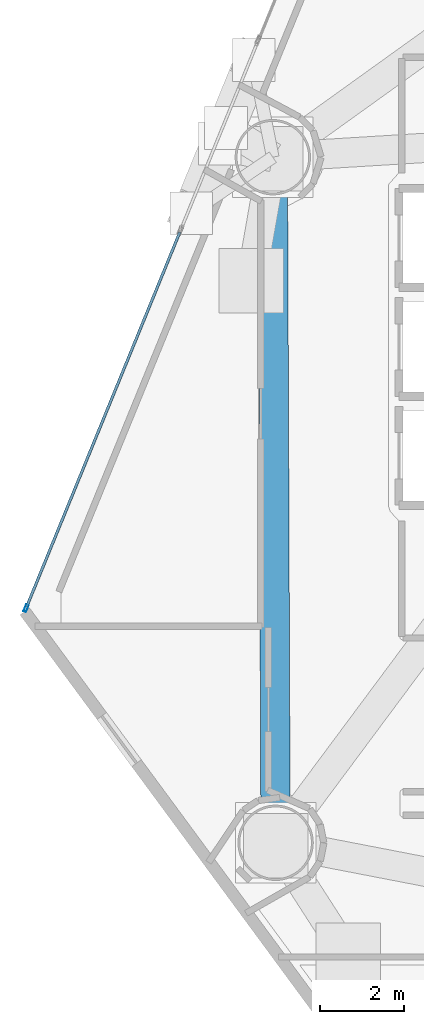
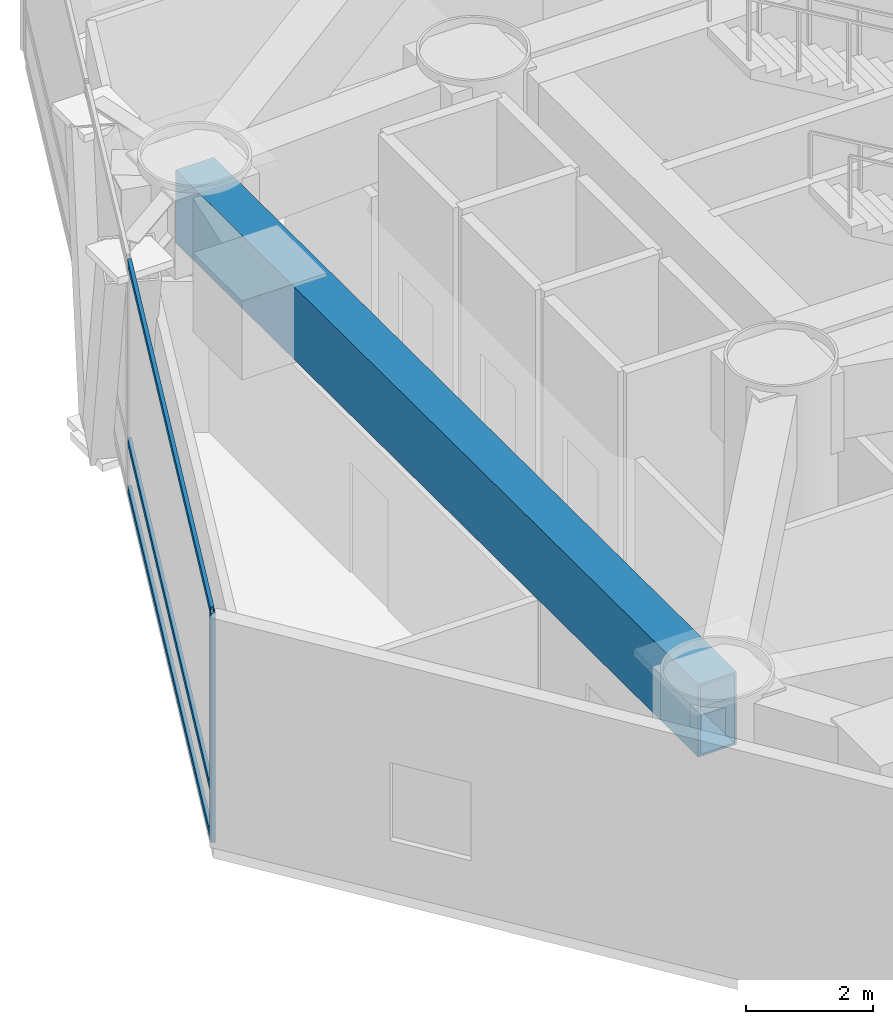
# One storey, part 3 of 22: 4 members, 1 beam, 1 element without a shape of its own.
"""IFC4 building model written with IfcOpenShell, lengths in metres."""

import ifcopenshell
import ifcopenshell.guid

model = None  # the IFC model being written
_history = None  # IfcOwnerHistory: only IFC2X3 demands one
_inside = {}  # id of a spatial element -> (the spatial element, [elements in it])
_under = {}  # id of a project, library or spatial element -> (it, [spatial elements below it])
_declared = {}  # id of a project -> (the project, [libraries it declares])
_typed = {}  # id of a type object -> (the type object, [elements of that type])
_made_of = {}  # id of a material, layer set ... -> (it, [elements and type objects made of it])


def new_model(schema):
    """Start an empty IFC model of exactly this schema.

    Asked for "IFC4X3", IfcOpenShell would pick the latest addendum, in which some entities
    have other attributes; the version numbers below select the first issue.
    IFC2X3 requires an IfcOwnerHistory on every rooted entity: one is made here for all.
    """
    global model, _history
    if schema == "IFC4X3":
        model = ifcopenshell.file(schema_version=(4, 3, 0, 0))
    else:
        model = ifcopenshell.file(schema=schema)
    _inside.clear()
    _under.clear()
    _declared.clear()
    _typed.clear()
    _made_of.clear()
    _history = None
    if model.schema == "IFC2X3":
        org = make("IfcOrganization", Name="unknown")
        user = make(
            "IfcPersonAndOrganization",
            ThePerson=make("IfcPerson", FamilyName="unknown"),
            TheOrganization=org,
        )
        app = make(
            "IfcApplication",
            ApplicationDeveloper=org,
            Version="unknown",
            ApplicationFullName="unknown",
            ApplicationIdentifier="unknown",
        )
        _history = make(
            "IfcOwnerHistory",
            OwningUser=user,
            OwningApplication=app,
            ChangeAction="ADDED",
            CreationDate=0,
        )
    return model


def make(cls, **values):
    """One entity of the class cls with the attributes given. An attribute that is None is left unset."""
    return model.create_entity(
        cls, **{name: value for name, value in values.items() if value is not None}
    )


def rooted(cls, **values):
    """An entity with a GlobalId (a new one), such as an element, a storey or a relation."""
    return make(cls, GlobalId=ifcopenshell.guid.new(), OwnerHistory=_history, **values)


def si_unit(unit_type, name, prefix=None):
    """IfcSIUnit, for example si_unit("LENGTHUNIT", "METRE", prefix="MILLI")."""
    return make("IfcSIUnit", UnitType=unit_type, Prefix=prefix, Name=name)


def assignment(units):
    """IfcUnitAssignment: the units of a project."""
    return None if units is None else make("IfcUnitAssignment", Units=units)


def point(xyz):
    """IfcCartesianPoint."""
    return None if xyz is None else make("IfcCartesianPoint", Coordinates=xyz)


def direction(xyz):
    """IfcDirection."""
    return None if xyz is None else make("IfcDirection", DirectionRatios=xyz)


def frame(location, z_axis=None, x_axis=None):
    """IfcAxis2Placement3D, a coordinate frame: its origin and axes. An axis left out is left unset."""
    return make(
        "IfcAxis2Placement3D",
        Location=point(location),
        Axis=direction(z_axis),
        RefDirection=direction(x_axis),
    )


def frame_2d(location, x_axis=None):
    """IfcAxis2Placement2D, a coordinate frame in the plane: its origin and x axis."""
    return make(
        "IfcAxis2Placement2D", Location=point(location), RefDirection=direction(x_axis)
    )


def origin():
    """The frame at (0, 0, 0) with its axes left unset."""
    return frame((0.0, 0.0, 0.0))


def origin_2d():
    """The frame at (0, 0) in the plane with its x axis left unset."""
    return frame_2d((0.0, 0.0))


def place(relative_to, where):
    """IfcLocalPlacement: puts the frame where relative to a parent placement (None: the world)."""
    return make(
        "IfcLocalPlacement", PlacementRelTo=relative_to, RelativePlacement=where
    )


def context(
    kind, dimensions, precision=None, world=None, true_north=None, identifier=None
):
    """IfcGeometricRepresentationContext, for example the 3D "Model" context."""
    return make(
        "IfcGeometricRepresentationContext",
        ContextIdentifier=identifier,
        ContextType=kind,
        CoordinateSpaceDimension=dimensions,
        Precision=precision,
        WorldCoordinateSystem=world,
        TrueNorth=true_north,
    )


def subcontext(parent, identifier, kind, view, scale=None):
    """IfcGeometricRepresentationSubContext, for example "Body" below "Model"."""
    return make(
        "IfcGeometricRepresentationSubContext",
        ContextIdentifier=identifier,
        ContextType=kind,
        ParentContext=parent,
        TargetScale=scale,
        TargetView=view,
    )


def project(units=None, contexts=None):
    """IfcProject with its units and contexts."""
    return rooted(
        "IfcProject",
        Name="project",
        RepresentationContexts=contexts,
        UnitsInContext=assignment(units),
    )


def spatial(cls, under=None, at=None, **own):
    """A site, building, storey or space (cls), placed at a placement, below another one or the project."""
    s = rooted(cls, ObjectPlacement=at, **own)
    if under is not None:
        _under.setdefault(under.id(), (under, []))[1].append(s)
    return s


def profile(cls, at=None, kind="AREA", **sizes):
    """A parametric profile (cls). Its sizes go by their IFC names, for example OverallWidth=200.0."""
    return make(cls, ProfileType=kind, Position=at, **sizes)


def hollow_rectangle(**sizes):
    """IfcRectangleHollowProfileDef."""
    return profile("IfcRectangleHollowProfileDef", **sizes)


def extrude(swept, where, along, depth):
    """IfcExtrudedAreaSolid: the profile swept, set in the frame where, extruded along a direction by depth."""
    return make(
        "IfcExtrudedAreaSolid",
        SweptArea=swept,
        Position=where,
        ExtrudedDirection=direction(along),
        Depth=depth,
    )


def shape(context_of_items, identifier, shape_type, items):
    """IfcShapeRepresentation: the items that make up one representation, for example the "Body"."""
    return make(
        "IfcShapeRepresentation",
        ContextOfItems=context_of_items,
        RepresentationIdentifier=identifier,
        RepresentationType=shape_type,
        Items=items,
    )


def material(Name=None, Category=None):
    """IfcMaterial."""
    return make("IfcMaterial", Name=Name, Category=Category)


def layer(
    of_material, thickness, ventilated=None, Name=None, Category=None, Priority=None
):
    """IfcMaterialLayer: one layer of a wall or slab, of a material (None: an air gap)."""
    return make(
        "IfcMaterialLayer",
        Material=of_material,
        LayerThickness=thickness,
        IsVentilated=ventilated,
        Name=Name,
        Category=Category,
        Priority=Priority,
    )


def layer_set(layers, Name=None):
    """IfcMaterialLayerSet."""
    return make("IfcMaterialLayerSet", MaterialLayers=layers, LayerSetName=Name)


def material_profile(
    of_material, cross_section, Name=None, Category=None, Priority=None
):
    """IfcMaterialProfile: a cross section and its material."""
    return make(
        "IfcMaterialProfile",
        Name=Name,
        Material=of_material,
        Profile=cross_section,
        Priority=Priority,
        Category=Category,
    )


def profile_set(profiles, Name=None, composite=None):
    """IfcMaterialProfileSet."""
    return make(
        "IfcMaterialProfileSet",
        Name=Name,
        MaterialProfiles=profiles,
        CompositeProfile=composite,
    )


def made_of(thing, what):
    """Note that an element or type object is made of a material, layer set ...; save() writes the relation."""
    if what is not None:
        _made_of.setdefault(what.id(), (what, []))[1].append(thing)
    return thing


def type_object(cls, material=None, **own):
    """A type object (cls), such as IfcWallType, which elements share."""
    return made_of(rooted(cls, **own), material)


def element(
    cls,
    number,
    at=None,
    inside=None,
    cuts=None,
    type_object=None,
    material=None,
    context=None,
    identifier="Body",
    shape_type=None,
    held_by="IfcProductDefinitionShape",
    body=None,
    shapes=None,
    **own,
):
    """One element of the class cls, such as IfcWall. Its Tag is "e" and its number.

    at: its placement. inside: the storey or other place that contains it. cuts: it is an
    opening in that element (IfcRelVoidsElement). A single representation is given by context,
    identifier, shape_type and body (its items); several are given by shapes. held_by: the class
    of the entity that holds the representations. save() writes the other relations.
    """
    e = rooted(cls, Tag="e%d" % number, ObjectPlacement=at, **own)
    if body is not None:
        shapes = [shape(context, identifier, shape_type, body)]
    if shapes is not None:
        e.Representation = make(held_by, Representations=shapes)
    if inside is not None:
        _inside.setdefault(inside.id(), (inside, []))[1].append(e)
    if cuts is not None:
        rooted(
            "IfcRelVoidsElement", RelatingBuildingElement=cuts, RelatedOpeningElement=e
        )
    if type_object is not None:
        _typed.setdefault(type_object.id(), (type_object, []))[1].append(e)
    return made_of(e, material)


def aggregate(whole, parts):
    """IfcRelAggregates: a whole, such as a stair, and the parts it consists of."""
    return rooted("IfcRelAggregates", RelatingObject=whole, RelatedObjects=parts)


def save(model, path):
    """Write the relations noted so far, then the file.

    IfcRelAggregates (storeys below a building ...), IfcRelContainedInSpatialStructure (elements
    in a storey), IfcRelDefinesByType, IfcRelAssociatesMaterial and IfcRelDeclares: one each for
    every whole, place, type object, material and project.
    """
    for whole, parts in _under.values():
        aggregate(whole, parts)
    for where, things in _inside.values():
        rooted(
            "IfcRelContainedInSpatialStructure",
            RelatedElements=things,
            RelatingStructure=where,
        )
    for kind, things in _typed.values():
        rooted("IfcRelDefinesByType", RelatedObjects=things, RelatingType=kind)
    for what, things in _made_of.values():
        rooted("IfcRelAssociatesMaterial", RelatedObjects=things, RelatingMaterial=what)
    for by, libraries in _declared.values():
        rooted("IfcRelDeclares", RelatingContext=by, RelatedDefinitions=libraries)
    model.write(path)


model = new_model("IFC4")

# Units and contexts
model_context = context("Model", 3, precision=1e-05, world=origin(), true_north=direction((0.0, 1.0)))
body_context = subcontext(model_context, "Body", "Model", "MODEL_VIEW")
ifc_project = project(units=[si_unit("LENGTHUNIT", "METRE"), si_unit("AREAUNIT", "SQUARE_METRE"), si_unit("VOLUMEUNIT", "CUBIC_METRE"), si_unit("PLANEANGLEUNIT", "RADIAN"), si_unit("MASSUNIT", "GRAM", prefix="KILO")], contexts=[model_context])

# Site, building, storey
site_placement = place(None, origin())
site = spatial("IfcSite", under=ifc_project, at=site_placement, CompositionType="ELEMENT")
building_placement = place(site_placement, origin())
building = spatial("IfcBuilding", under=site, at=building_placement, Name="Qianvela Tower", CompositionType="ELEMENT")
storey_placement = place(building_placement, frame((0.0, 0.0, 47.89990234375)))
storey = spatial("IfcBuildingStorey", under=building, at=storey_placement, Name="L11", CompositionType="ELEMENT", Elevation=47.89990234375)

# Beam
ifc_material_1 = material(Name="Steel Q420GJC", Category="steel")
ifc_material_profile_1 = material_profile(ifc_material_1, hollow_rectangle(XDim=0.699951171875, YDim=1.39990234375, WallThickness=0.0400390625, at=origin_2d()), Name="TG-BOX-1400x700x40")
ifc_profile_set_1 = profile_set([ifc_material_profile_1], Name="Steel Q420GJC")
beam_type = type_object("IfcBeamType", Name="BM-TG-RAD-1400", PredefinedType="BEAM", material=ifc_profile_set_1)
beam_placement = place(storey_placement, frame((23.337890625, 33.22802734375, 3.718017578125), z_axis=(0.004042148861, -0.999991830483, 0.0), x_axis=(0.999991830483, 0.004042148861, 0.0)))
element("IfcBeam", 1, at=beam_placement, inside=storey, type_object=beam_type, Name="L11 Perimeter Belt-Truss Top Ring Girder 4", PredefinedType="BEAM", context=body_context, shape_type="SweptSolid", body=[
    extrude(hollow_rectangle(XDim=0.699951171875, YDim=1.39990234375, WallThickness=0.0400390625, at=origin_2d()), origin(), (0.0, 0.0, 1.0), 16.3681640625),
])

# Curtain wall, members
ifc_material_2 = material(Name="Anodised Architectural Aluminium and Low-E Glass", Category="aluminium")
ifc_layer = layer(ifc_material_2, 0.179931640625)
ifc_layer_set = layer_set([ifc_layer], Name="Anodised Architectural Aluminium and Low-E Glass")
curtain_wall_type = type_object("IfcCurtainWallType", Name="CW-COLIV-Z12", PredefinedType="USERDEFINED", material=ifc_layer_set)
curtain_wall_placement = place(storey_placement, origin())
curtain_wall = element("IfcCurtainWall", 2, at=curtain_wall_placement, inside=storey, type_object=curtain_wall_type, Name="L11 CW-COLIV-Z12 Curtain Wall 04C", ObjectType="CURTAIN_WALL_SYSTEM", PredefinedType="USERDEFINED")
ifc_material_3 = material(Name="Anodised Architectural Aluminium 6063-T6", Category="aluminium")
ifc_material_profile_2 = material_profile(ifc_material_3, hollow_rectangle(XDim=0.070068359375, YDim=0.179931640625, WallThickness=0.0048828125, at=origin_2d()), Name="ALU-MULL-70x180")
ifc_profile_set_2 = profile_set([ifc_material_profile_2], Name="Anodised Architectural Aluminium 6063-T6")
member_type_1 = type_object("IfcMemberType", Name="CW-COLIV-Z12-MULL", PredefinedType="MULLION", material=ifc_profile_set_2)
member_1_placement = place(storey_placement, frame((17.446533203125, 22.462890625, 0.0), z_axis=(0.0, 0.0, 1.0), x_axis=(0.925603684644, -0.378494146552, 0.0)))
member_1 = element("IfcMember", 3, at=member_1_placement, type_object=member_type_1, Name="CW-3 mullion 2", PredefinedType="MULLION", context=body_context, shape_type="SweptSolid", body=[
    extrude(hollow_rectangle(XDim=0.070068359375, YDim=0.179931640625, WallThickness=0.0048828125, at=origin_2d()), origin(), (0.0, 0.0, 1.0), 4.420166015625),
])
ifc_material_4 = material(Name="Anodised Architectural Aluminium 6063-T6", Category="aluminium")
ifc_material_profile_3 = material_profile(ifc_material_4, hollow_rectangle(XDim=0.06494140625, YDim=0.1298828125, WallThickness=0.00439453125, at=origin_2d()), Name="ALU-TRAN-65x130")
ifc_profile_set_3 = profile_set([ifc_material_profile_3], Name="Anodised Architectural Aluminium 6063-T6")
member_type_2 = type_object("IfcMemberType", Name="CW-COLIV-Z12-TRAN", PredefinedType="USERDEFINED", material=ifc_profile_set_3)
member_2_placement = place(storey_placement, frame((21.115478515625, 31.434814453125, 0.03271484375), z_axis=(-0.378488152255, -0.925606135785, 0.0), x_axis=(0.925606135785, -0.378488152255, 0.0)))
member_2 = element("IfcMember", 4, at=member_2_placement, type_object=member_type_2, Name="CW-3 transom 1.1", ObjectType="TRANSOM", PredefinedType="USERDEFINED", context=body_context, shape_type="SweptSolid", body=[
    extrude(hollow_rectangle(XDim=0.06494140625, YDim=0.1298828125, WallThickness=0.00439453125, at=origin_2d()), origin(), (0.0, 0.0, 1.0), 9.658203125),
])
member_3_placement = place(storey_placement, frame((21.115478515625, 31.434814453125, 0.9501953125), z_axis=(-0.378488152255, -0.925606135785, 0.0), x_axis=(0.925606135785, -0.378488152255, 0.0)))
member_3 = element("IfcMember", 5, at=member_3_placement, type_object=member_type_2, Name="CW-3 transom 1.2", ObjectType="TRANSOM", PredefinedType="USERDEFINED", context=body_context, shape_type="SweptSolid", body=[
    extrude(hollow_rectangle(XDim=0.06494140625, YDim=0.1298828125, WallThickness=0.00439453125, at=origin_2d()), origin(), (0.0, 0.0, 1.0), 9.658203125),
])
member_4_placement = place(storey_placement, frame((21.115478515625, 31.434814453125, 4.3876953125), z_axis=(-0.378488152255, -0.925606135785, 0.0), x_axis=(0.925606135785, -0.378488152255, 0.0)))
member_4 = element("IfcMember", 6, at=member_4_placement, type_object=member_type_2, Name="CW-3 transom 1.3", ObjectType="TRANSOM", PredefinedType="USERDEFINED", context=body_context, shape_type="SweptSolid", body=[
    extrude(hollow_rectangle(XDim=0.06494140625, YDim=0.1298828125, WallThickness=0.00439453125, at=origin_2d()), origin(), (0.0, 0.0, 1.0), 9.658203125),
])
aggregate(curtain_wall, [member_1, member_2, member_3, member_4])

save(model, "model.ifc")
